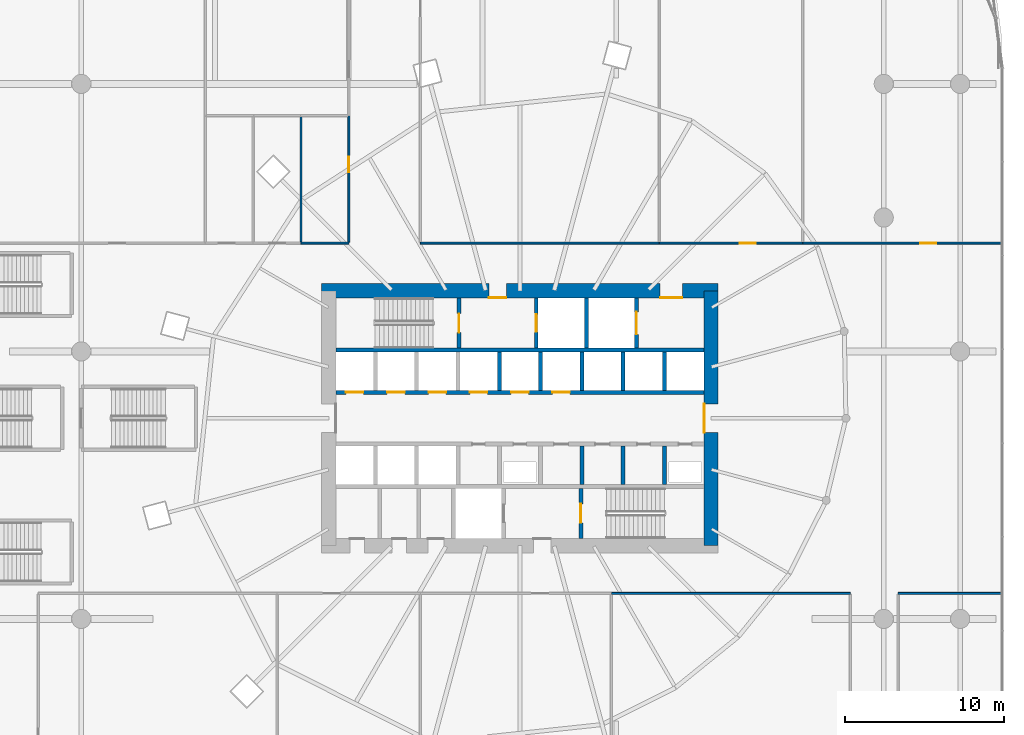
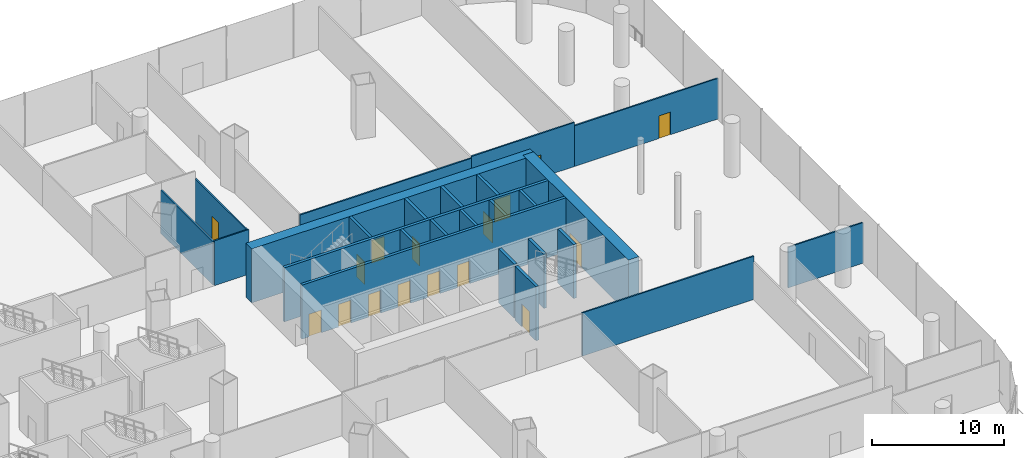
# One storey, part 40 of 51: 25 walls, 16 doors, 16 openings.
"""IFC4 building model written with IfcOpenShell, lengths in metres."""

from ifc_helpers import new_model, si_unit, direction, frame, frame_2d, origin, place, context, subcontext, project, spatial, rectangle, extrude, material, layer, layer_set, type_object, element, fill, save


model = new_model("IFC4")

# Units and contexts
model_context = context("Model", 3, precision=1e-05, world=origin(), true_north=direction((0.0, 1.0)))
body_context = subcontext(model_context, "Body", "Model", "MODEL_VIEW")
ifc_project = project(units=[si_unit("LENGTHUNIT", "METRE"), si_unit("AREAUNIT", "SQUARE_METRE"), si_unit("VOLUMEUNIT", "CUBIC_METRE"), si_unit("PLANEANGLEUNIT", "RADIAN"), si_unit("MASSUNIT", "GRAM", prefix="KILO")], contexts=[model_context])

# Site, building, storey
site_placement = place(None, origin())
site = spatial("IfcSite", under=ifc_project, at=site_placement, CompositionType="ELEMENT")
building_placement = place(site_placement, origin())
building = spatial("IfcBuilding", under=site, at=building_placement, Name="Rimbun Link Towers", CompositionType="ELEMENT")
storey_placement = place(building_placement, frame((0.0, 0.0, 7.0)))
storey = spatial("IfcBuildingStorey", under=building, at=storey_placement, Name="L01", CompositionType="ELEMENT", Elevation=7.0)

# Wall, openings, doors
ifc_material_1 = material(Name="Concrete C60/75", Category="concrete")
ifc_layer_1 = layer(ifc_material_1, 0.89990234375)
ifc_layer_set_1 = layer_set([ifc_layer_1], Name="Core shear wall 900")
wall_type_1 = type_object("IfcWallType", Name="Core shear wall 900", PredefinedType="SHEAR", material=ifc_layer_set_1)
wall_1_placement = place(storey_placement, frame((19.300048828125, 8.0, 0.0), z_axis=(0.0, 0.0, 1.0), x_axis=(1.0, 0.0, 0.0)))
wall_1 = element("IfcWall", 1, at=wall_1_placement, inside=storey, type_object=wall_type_1, Name="L01 T2 core wall N", PredefinedType="SHEAR", context=body_context, shape_type="SweptSolid", body=[
    extrude(rectangle(XDim=24.89990234375, YDim=0.89990234375, at=frame_2d((12.449951171875, 0.0))), origin(), (0.0, 0.0, 1.0), 5.0),
])
opening_1_placement = place(wall_1_placement, frame((10.5, 0.0, 0.0)))
opening_1 = element("IfcOpeningElement", 2, at=opening_1_placement, cuts=wall_1, Name="Opening C2DCF01N", PredefinedType="OPENING", context=body_context, shape_type="SweptSolid", body=[
    extrude(rectangle(XDim=1.10009765625, YDim=2.10009765625, at=frame_2d((0.550048828125, 1.050048828125))), frame((0.0, 0.4599609375, 0.0), z_axis=(0.0, -1.0, 0.0), x_axis=(1.0, 0.0, 0.0)), (0.0, 0.0, 1.0), 0.919921875),
])
opening_2_placement = place(wall_1_placement, frame((21.25, 0.0, 0.0)))
opening_2 = element("IfcOpeningElement", 3, at=opening_2_placement, cuts=wall_1, Name="Opening C2DSL02N", PredefinedType="OPENING", context=body_context, shape_type="SweptSolid", body=[
    extrude(rectangle(XDim=1.39990234375, YDim=2.10009765625, at=frame_2d((0.699951171875, 1.050048828125))), frame((0.0, 0.4599609375, 0.0), z_axis=(0.0, -1.0, 0.0), x_axis=(1.0, 0.0, 0.0)), (0.0, 0.0, 1.0), 0.919921875),
])
ifc_material_2 = material(Name="Steel fire door set", Category="steel")
door_type_1 = type_object("IfcDoorType", Name="Core fire door single", OperationType="SINGLE_SWING_LEFT", PredefinedType="DOOR", material=ifc_material_2)
door_1_placement = place(opening_1_placement, origin())
door_1 = element("IfcDoor", 4, at=door_1_placement, inside=storey, type_object=door_type_1, Name="L01 T2 firefighting lobby n door", OperationType="SINGLE_SWING_RIGHT", OverallHeight=2.10009765625, OverallWidth=1.10009765625, PredefinedType="DOOR", context=body_context, shape_type="SweptSolid", body=[
    extrude(rectangle(XDim=1.10009765625, YDim=2.10009765625, at=frame_2d((0.550048828125, 1.050048828125))), frame((0.0, -0.39990234375, 0.0), z_axis=(0.0, -1.0, 0.0), x_axis=(1.0, 0.0, 0.0)), (0.0, 0.0, 1.0), 0.050048828125),
])
fill(opening_1, door_1)
ifc_material_3 = material(Name="Steel fire door set", Category="steel")
door_type_2 = type_object("IfcDoorType", Name="Service lobby door double", OperationType="DOUBLE_DOOR_SINGLE_SWING", PredefinedType="DOOR", material=ifc_material_3)
door_2_placement = place(opening_2_placement, origin())
door_2 = element("IfcDoor", 5, at=door_2_placement, inside=storey, type_object=door_type_2, Name="L01 T2 service lobby door", OperationType="DOUBLE_DOOR_SINGLE_SWING", OverallHeight=2.10009765625, OverallWidth=1.39990234375, PredefinedType="DOOR", context=body_context, shape_type="SweptSolid", body=[
    extrude(rectangle(XDim=1.39990234375, YDim=2.10009765625, at=frame_2d((0.699951171875, 1.050048828125))), frame((0.0, -0.39990234375, 0.0), z_axis=(0.0, -1.0, 0.0), x_axis=(1.0, 0.0, 0.0)), (0.0, 0.0, 1.0), 0.050048828125),
])
fill(opening_2, door_2)

# Wall, opening, door
wall_2_placement = place(storey_placement, frame((43.75, -8.0, 0.0), z_axis=(0.0, 0.0, 1.0), x_axis=(0.0, 1.0, 0.0)))
wall_2 = element("IfcWall", 6, at=wall_2_placement, inside=storey, type_object=wall_type_1, Name="L01 T2 core wall E", PredefinedType="SHEAR", context=body_context, shape_type="SweptSolid", body=[
    extrude(rectangle(XDim=16.0, YDim=0.89990234375, at=frame_2d((8.0, 0.0))), origin(), (0.0, 0.0, 1.0), 5.0),
])
opening_3_placement = place(wall_2_placement, frame((7.10009765625, 0.0, 0.0)))
opening_3 = element("IfcOpeningElement", 7, at=opening_3_placement, cuts=wall_2, Name="Opening C2DCL01E", PredefinedType="OPENING", context=body_context, shape_type="SweptSolid", body=[
    extrude(rectangle(XDim=1.800048828125, YDim=2.10009765625, at=frame_2d((0.89990234375, 1.050048828125))), frame((0.0, 0.4599609375, 0.0), z_axis=(0.0, -1.0, 0.0), x_axis=(1.0, 0.0, 0.0)), (0.0, 0.0, 1.0), 0.919921875),
])
ifc_material_4 = material(Name="Steel fire door set", Category="steel")
door_type_3 = type_object("IfcDoorType", Name="Core lobby door double", OperationType="DOUBLE_DOOR_SINGLE_SWING", PredefinedType="DOOR", material=ifc_material_4)
door_3_placement = place(opening_3_placement, origin())
door_3 = element("IfcDoor", 8, at=door_3_placement, inside=storey, type_object=door_type_3, Name="L01 T2 lift lobby door", OperationType="DOUBLE_DOOR_SINGLE_SWING", OverallHeight=2.10009765625, OverallWidth=1.800048828125, PredefinedType="DOOR", context=body_context, shape_type="SweptSolid", body=[
    extrude(rectangle(XDim=1.800048828125, YDim=2.10009765625, at=frame_2d((0.89990234375, 1.050048828125))), frame((0.0, 0.4501953125, 0.0), z_axis=(0.0, -1.0, 0.0), x_axis=(1.0, 0.0, 0.0)), (0.0, 0.0, 1.0), 0.050048828125),
])
fill(opening_3, door_3)

# Walls
ifc_material_5 = material(Name="Gypsum board on steel studs", Category="steel")
ifc_layer_2 = layer(ifc_material_5, 0.125)
ifc_layer_set_2 = layer_set([ifc_layer_2], Name="Partition 125 board on studs")
wall_type_2 = type_object("IfcWallType", Name="Partition 125 board on studs", PredefinedType="PARTITIONING", material=ifc_layer_set_2)
wall_3_placement = place(storey_placement, frame((37.5, -11.0, 0.0), z_axis=(0.0, 0.0, 1.0), x_axis=(1.0, 0.0, 0.0)))
element("IfcWall", 9, at=wall_3_placement, inside=storey, type_object=wall_type_2, Name="PD/PW/L01/033", PredefinedType="PARTITIONING", context=body_context, shape_type="SweptSolid", body=[
    extrude(rectangle(XDim=15.0, YDim=0.125, at=frame_2d((7.5, 0.0))), origin(), (0.0, 0.0, 1.0), 3.99609375),
])
wall_4_placement = place(storey_placement, frame((55.5, -11.0, 0.0), z_axis=(0.0, 0.0, 1.0), x_axis=(1.0, 0.0, 0.0)))
element("IfcWall", 10, at=wall_4_placement, inside=storey, type_object=wall_type_2, Name="PD/PW/L01/034", PredefinedType="PARTITIONING", context=body_context, shape_type="SweptSolid", body=[
    extrude(rectangle(XDim=6.580078125, YDim=0.125, at=frame_2d((3.2900390625, 0.0))), origin(), (0.0, 0.0, 1.0), 3.761962890625),
])
wall_5_placement = place(storey_placement, frame((21.0, 11.0, 0.0), z_axis=(0.0, 0.0, 1.0), x_axis=(-1.0, 0.0, 0.0)))
element("IfcWall", 11, at=wall_5_placement, inside=storey, type_object=wall_type_2, Name="PD/PW/L01/037", PredefinedType="PARTITIONING", context=body_context, shape_type="SweptSolid", body=[
    extrude(rectangle(XDim=3.0, YDim=0.125, at=frame_2d((1.5, 0.0))), origin(), (0.0, 0.0, 1.0), 4.14697265625),
])
wall_6_placement = place(storey_placement, frame((40.5, 11.0, 0.0), z_axis=(0.0, 0.0, 1.0), x_axis=(-1.0, 0.0, 0.0)))
element("IfcWall", 12, at=wall_6_placement, inside=storey, type_object=wall_type_2, Name="PD/PW/L01/043", PredefinedType="PARTITIONING", context=body_context, shape_type="SweptSolid", body=[
    extrude(rectangle(XDim=15.0, YDim=0.125, at=frame_2d((7.5, 0.0))), origin(), (0.0, 0.0, 1.0), 3.91796875),
])

# Wall, opening, door
wall_7_placement = place(storey_placement, frame((49.5, 11.0, 0.0), z_axis=(0.0, 0.0, 1.0), x_axis=(-1.0, 0.0, 0.0)))
wall_7 = element("IfcWall", 13, at=wall_7_placement, inside=storey, type_object=wall_type_2, Name="PD/PW/L01/044", PredefinedType="PARTITIONING", context=body_context, shape_type="SweptSolid", body=[
    extrude(rectangle(XDim=9.0, YDim=0.125, at=frame_2d((4.5, 0.0))), origin(), (0.0, 0.0, 1.0), 4.076904296875),
])
opening_4_placement = place(wall_7_placement, frame((2.93505859375, 0.0, 0.0)))
opening_4 = element("IfcOpeningElement", 14, at=opening_4_placement, cuts=wall_7, Name="Opening PD D01.32", PredefinedType="OPENING", context=body_context, shape_type="SweptSolid", body=[
    extrude(rectangle(XDim=1.0, YDim=2.10009765625, at=frame_2d((0.5, 1.050048828125))), frame((0.0, 0.072509765625, 0.0), z_axis=(0.0, -1.0, 0.0), x_axis=(1.0, 0.0, 0.0)), (0.0, 0.0, 1.0), 0.14501953125),
])
ifc_material_6 = material(Name="Timber door set", Category="wood")
door_type_4 = type_object("IfcDoorType", Name="Door single leaf 1000 x 2100", OperationType="NOTDEFINED", PredefinedType="DOOR", material=ifc_material_6)
door_4_placement = place(opening_4_placement, origin())
door_4 = element("IfcDoor", 15, at=door_4_placement, inside=storey, type_object=door_type_4, Name="PD/DR/L01/032", OperationType="SINGLE_SWING_LEFT", OverallHeight=2.10009765625, OverallWidth=1.0, PredefinedType="DOOR", context=body_context, shape_type="SweptSolid", body=[
    extrude(rectangle(XDim=1.0, YDim=2.10009765625, at=frame_2d((0.5, 1.050048828125))), frame((0.0, 0.02490234375, 0.0), z_axis=(0.0, -1.0, 0.0), x_axis=(1.0, 0.0, 0.0)), (0.0, 0.0, 1.0), 0.050048828125),
])
fill(opening_4, door_4)

wall_8_placement = place(storey_placement, frame((62.080078125, 11.0, 0.0), z_axis=(0.0, 0.0, 1.0), x_axis=(-1.0, 0.0, 0.0)))
wall_8 = element("IfcWall", 16, at=wall_8_placement, inside=storey, type_object=wall_type_2, Name="PD/PW/L01/045", PredefinedType="PARTITIONING", context=body_context, shape_type="SweptSolid", body=[
    extrude(rectangle(XDim=12.580078125, YDim=0.125, at=frame_2d((6.2900390625, 0.0))), origin(), (0.0, 0.0, 1.0), 3.761962890625),
])
opening_5_placement = place(wall_8_placement, frame((4.18798828125, 0.0, 0.0)))
opening_5 = element("IfcOpeningElement", 17, at=opening_5_placement, cuts=wall_8, Name="Opening PD D01.33", PredefinedType="OPENING", context=body_context, shape_type="SweptSolid", body=[
    extrude(rectangle(XDim=1.0, YDim=2.10009765625, at=frame_2d((0.5, 1.050048828125))), frame((0.0, 0.072509765625, 0.0), z_axis=(0.0, -1.0, 0.0), x_axis=(1.0, 0.0, 0.0)), (0.0, 0.0, 1.0), 0.14501953125),
])
door_5_placement = place(opening_5_placement, origin())
door_5 = element("IfcDoor", 18, at=door_5_placement, inside=storey, type_object=door_type_4, Name="PD/DR/L01/033", OperationType="SINGLE_SWING_RIGHT", OverallHeight=2.10009765625, OverallWidth=1.0, PredefinedType="DOOR", context=body_context, shape_type="SweptSolid", body=[
    extrude(rectangle(XDim=1.0, YDim=2.10009765625, at=frame_2d((0.5, 1.050048828125))), frame((0.0, 0.02490234375, 0.0), z_axis=(0.0, -1.0, 0.0), x_axis=(1.0, 0.0, 0.0)), (0.0, 0.0, 1.0), 0.050048828125),
])
fill(opening_5, door_5)

wall_9_placement = place(storey_placement, frame((21.0, 19.0, 0.0), z_axis=(0.0, 0.0, 1.0), x_axis=(0.0, -1.0, 0.0)))
wall_9 = element("IfcWall", 19, at=wall_9_placement, inside=storey, type_object=wall_type_2, Name="PD/PW/L01/087", PredefinedType="PARTITIONING", context=body_context, shape_type="SweptSolid", body=[
    extrude(rectangle(XDim=7.9375, YDim=0.125, at=frame_2d((3.96875, 0.0))), origin(), (0.0, 0.0, 1.0), 3.99609375),
])
opening_6_placement = place(wall_9_placement, frame((2.56298828125, 0.0, 0.0)))
opening_6 = element("IfcOpeningElement", 20, at=opening_6_placement, cuts=wall_9, Name="Opening PD D01.23", PredefinedType="OPENING", context=body_context, shape_type="SweptSolid", body=[
    extrude(rectangle(XDim=1.0, YDim=2.10009765625, at=frame_2d((0.5, 1.050048828125))), frame((0.0, 0.072509765625, 0.0), z_axis=(0.0, -1.0, 0.0), x_axis=(1.0, 0.0, 0.0)), (0.0, 0.0, 1.0), 0.14501953125),
])
door_6_placement = place(opening_6_placement, origin())
door_6 = element("IfcDoor", 21, at=door_6_placement, inside=storey, type_object=door_type_4, Name="PD/DR/L01/023", OperationType="SINGLE_SWING_RIGHT", OverallHeight=2.10009765625, OverallWidth=1.0, PredefinedType="DOOR", context=body_context, shape_type="SweptSolid", body=[
    extrude(rectangle(XDim=1.0, YDim=2.10009765625, at=frame_2d((0.5, 1.050048828125))), frame((0.0, 0.02490234375, 0.0), z_axis=(0.0, -1.0, 0.0), x_axis=(1.0, 0.0, 0.0)), (0.0, 0.0, 1.0), 0.050048828125),
])
fill(opening_6, door_6)

# Walls
wall_10_placement = place(storey_placement, frame((18.0, 11.0625, 0.0), z_axis=(0.0, 0.0, 1.0), x_axis=(0.0, 1.0, 0.0)))
element("IfcWall", 22, at=wall_10_placement, inside=storey, type_object=wall_type_2, Name="PD/PW/L01/094", PredefinedType="PARTITIONING", context=body_context, shape_type="SweptSolid", body=[
    extrude(rectangle(XDim=7.9375, YDim=0.125, at=frame_2d((3.96875, 0.0))), origin(), (0.0, 0.0, 1.0), 3.99609375),
])
ifc_material_7 = material(Name="Concrete C60/75", Category="concrete")
ifc_layer_3 = layer(ifc_material_7, 0.25)
ifc_layer_set_3 = layer_set([ifc_layer_3], Name="Shaft wall 250")
wall_type_3 = type_object("IfcWallType", Name="Shaft wall 250", PredefinedType="SHEAR", material=ifc_layer_set_3)
wall_11_placement = place(storey_placement, frame((20.199951171875, 4.27490234375, 0.0), z_axis=(0.0, 0.0, 1.0), x_axis=(1.0, 0.0, 0.0)))
element("IfcWall", 23, at=wall_11_placement, inside=storey, type_object=wall_type_3, Name="L01 T2 core wall BN", PredefinedType="SHEAR", context=body_context, shape_type="SweptSolid", body=[
    extrude(rectangle(XDim=23.10009765625, YDim=0.25, at=frame_2d((11.550048828125, 0.0))), origin(), (0.0, 0.0, 1.0), 5.0),
])

# Wall, openings, doors
wall_12_placement = place(storey_placement, frame((20.199951171875, 1.625, 0.0), z_axis=(0.0, 0.0, 1.0), x_axis=(1.0, 0.0, 0.0)))
wall_12 = element("IfcWall", 24, at=wall_12_placement, inside=storey, type_object=wall_type_3, Name="L01 T2 core wall FN", PredefinedType="SHEAR", context=body_context, shape_type="SweptSolid", body=[
    extrude(rectangle(XDim=23.10009765625, YDim=0.25, at=frame_2d((11.550048828125, 0.0))), origin(), (0.0, 0.0, 1.0), 5.0),
])
opening_7_placement = place(wall_12_placement, frame((0.622314453125, 0.0, 0.0)))
opening_7 = element("IfcOpeningElement", 25, at=opening_7_placement, cuts=wall_12, Name="Opening LD-T2-LR1", PredefinedType="OPENING", context=body_context, shape_type="SweptSolid", body=[
    extrude(rectangle(XDim=1.10009765625, YDim=2.10009765625, at=frame_2d((0.550048828125, 1.050048828125))), frame((0.0, 0.135009765625, 0.0), z_axis=(0.0, -1.0, 0.0), x_axis=(1.0, 0.0, 0.0)), (0.0, 0.0, 1.0), 0.27001953125),
])
opening_8_placement = place(wall_12_placement, frame((3.216796875, 0.0, 0.0)))
opening_8 = element("IfcOpeningElement", 26, at=opening_8_placement, cuts=wall_12, Name="Opening LD-T2-LR2", PredefinedType="OPENING", context=body_context, shape_type="SweptSolid", body=[
    extrude(rectangle(XDim=1.10009765625, YDim=2.10009765625, at=frame_2d((0.550048828125, 1.050048828125))), frame((0.0, 0.135009765625, 0.0), z_axis=(0.0, -1.0, 0.0), x_axis=(1.0, 0.0, 0.0)), (0.0, 0.0, 1.0), 0.27001953125),
])
opening_9_placement = place(wall_12_placement, frame((5.81103515625, 0.0, 0.0)))
opening_9 = element("IfcOpeningElement", 27, at=opening_9_placement, cuts=wall_12, Name="Opening LD-T2-LR3", PredefinedType="OPENING", context=body_context, shape_type="SweptSolid", body=[
    extrude(rectangle(XDim=1.10009765625, YDim=2.10009765625, at=frame_2d((0.550048828125, 1.050048828125))), frame((0.0, 0.135009765625, 0.0), z_axis=(0.0, -1.0, 0.0), x_axis=(1.0, 0.0, 0.0)), (0.0, 0.0, 1.0), 0.27001953125),
])
opening_10_placement = place(wall_12_placement, frame((8.405517578125, 0.0, 0.0)))
opening_10 = element("IfcOpeningElement", 28, at=opening_10_placement, cuts=wall_12, Name="Opening LD-T2-LR4", PredefinedType="OPENING", context=body_context, shape_type="SweptSolid", body=[
    extrude(rectangle(XDim=1.10009765625, YDim=2.10009765625, at=frame_2d((0.550048828125, 1.050048828125))), frame((0.0, 0.135009765625, 0.0), z_axis=(0.0, -1.0, 0.0), x_axis=(1.0, 0.0, 0.0)), (0.0, 0.0, 1.0), 0.27001953125),
])
opening_11_placement = place(wall_12_placement, frame((11.0, 0.0, 0.0)))
opening_11 = element("IfcOpeningElement", 29, at=opening_11_placement, cuts=wall_12, Name="Opening LD-T2-LR5", PredefinedType="OPENING", context=body_context, shape_type="SweptSolid", body=[
    extrude(rectangle(XDim=1.10009765625, YDim=2.10009765625, at=frame_2d((0.550048828125, 1.050048828125))), frame((0.0, 0.135009765625, 0.0), z_axis=(0.0, -1.0, 0.0), x_axis=(1.0, 0.0, 0.0)), (0.0, 0.0, 1.0), 0.27001953125),
])
opening_12_placement = place(wall_12_placement, frame((13.594482421875, 0.0, 0.0)))
opening_12 = element("IfcOpeningElement", 30, at=opening_12_placement, cuts=wall_12, Name="Opening LD-T2-LR6", PredefinedType="OPENING", context=body_context, shape_type="SweptSolid", body=[
    extrude(rectangle(XDim=1.10009765625, YDim=2.10009765625, at=frame_2d((0.550048828125, 1.050048828125))), frame((0.0, 0.135009765625, 0.0), z_axis=(0.0, -1.0, 0.0), x_axis=(1.0, 0.0, 0.0)), (0.0, 0.0, 1.0), 0.27001953125),
])
ifc_material_8 = material(Name="Stainless steel grade 316", Category="steel")
door_type_5 = type_object("IfcDoorType", Name="Lift landing door", OperationType="DOUBLE_DOOR_SLIDING", PredefinedType="DOOR", material=ifc_material_8)
door_7_placement = place(opening_7_placement, origin())
door_7 = element("IfcDoor", 31, at=door_7_placement, inside=storey, type_object=door_type_5, Name="L01 T2 lift LR1 landing door", OperationType="DOUBLE_DOOR_SLIDING", OverallHeight=2.10009765625, OverallWidth=1.10009765625, PredefinedType="DOOR", context=body_context, shape_type="SweptSolid", body=[
    extrude(rectangle(XDim=1.10009765625, YDim=2.10009765625, at=frame_2d((0.550048828125, 1.050048828125))), frame((0.0, 0.02490234375, 0.0), z_axis=(0.0, -1.0, 0.0), x_axis=(1.0, 0.0, 0.0)), (0.0, 0.0, 1.0), 0.050048828125),
])
fill(opening_7, door_7)
door_8_placement = place(opening_8_placement, origin())
door_8 = element("IfcDoor", 32, at=door_8_placement, inside=storey, type_object=door_type_5, Name="L01 T2 lift LR2 landing door", OperationType="DOUBLE_DOOR_SLIDING", OverallHeight=2.10009765625, OverallWidth=1.10009765625, PredefinedType="DOOR", context=body_context, shape_type="SweptSolid", body=[
    extrude(rectangle(XDim=1.10009765625, YDim=2.10009765625, at=frame_2d((0.550048828125, 1.050048828125))), frame((0.0, 0.02490234375, 0.0), z_axis=(0.0, -1.0, 0.0), x_axis=(1.0, 0.0, 0.0)), (0.0, 0.0, 1.0), 0.050048828125),
])
fill(opening_8, door_8)
door_9_placement = place(opening_9_placement, origin())
door_9 = element("IfcDoor", 33, at=door_9_placement, inside=storey, type_object=door_type_5, Name="L01 T2 lift LR3 landing door", OperationType="DOUBLE_DOOR_SLIDING", OverallHeight=2.10009765625, OverallWidth=1.10009765625, PredefinedType="DOOR", context=body_context, shape_type="SweptSolid", body=[
    extrude(rectangle(XDim=1.10009765625, YDim=2.10009765625, at=frame_2d((0.550048828125, 1.050048828125))), frame((0.0, 0.02490234375, 0.0), z_axis=(0.0, -1.0, 0.0), x_axis=(1.0, 0.0, 0.0)), (0.0, 0.0, 1.0), 0.050048828125),
])
fill(opening_9, door_9)
door_10_placement = place(opening_10_placement, origin())
door_10 = element("IfcDoor", 34, at=door_10_placement, inside=storey, type_object=door_type_5, Name="L01 T2 lift LR4 landing door", OperationType="DOUBLE_DOOR_SLIDING", OverallHeight=2.10009765625, OverallWidth=1.10009765625, PredefinedType="DOOR", context=body_context, shape_type="SweptSolid", body=[
    extrude(rectangle(XDim=1.10009765625, YDim=2.10009765625, at=frame_2d((0.550048828125, 1.050048828125))), frame((0.0, 0.02490234375, 0.0), z_axis=(0.0, -1.0, 0.0), x_axis=(1.0, 0.0, 0.0)), (0.0, 0.0, 1.0), 0.050048828125),
])
fill(opening_10, door_10)
door_11_placement = place(opening_11_placement, origin())
door_11 = element("IfcDoor", 35, at=door_11_placement, inside=storey, type_object=door_type_5, Name="L01 T2 lift LR5 landing door", OperationType="DOUBLE_DOOR_SLIDING", OverallHeight=2.10009765625, OverallWidth=1.10009765625, PredefinedType="DOOR", context=body_context, shape_type="SweptSolid", body=[
    extrude(rectangle(XDim=1.10009765625, YDim=2.10009765625, at=frame_2d((0.550048828125, 1.050048828125))), frame((0.0, 0.02490234375, 0.0), z_axis=(0.0, -1.0, 0.0), x_axis=(1.0, 0.0, 0.0)), (0.0, 0.0, 1.0), 0.050048828125),
])
fill(opening_11, door_11)
door_12_placement = place(opening_12_placement, origin())
door_12 = element("IfcDoor", 36, at=door_12_placement, inside=storey, type_object=door_type_5, Name="L01 T2 lift LR6 landing door", OperationType="DOUBLE_DOOR_SLIDING", OverallHeight=2.10009765625, OverallWidth=1.10009765625, PredefinedType="DOOR", context=body_context, shape_type="SweptSolid", body=[
    extrude(rectangle(XDim=1.10009765625, YDim=2.10009765625, at=frame_2d((0.550048828125, 1.050048828125))), frame((0.0, 0.02490234375, 0.0), z_axis=(0.0, -1.0, 0.0), x_axis=(1.0, 0.0, 0.0)), (0.0, 0.0, 1.0), 0.050048828125),
])
fill(opening_12, door_12)

# Walls
for number, where, z_axis, x_axis, name in (
    (37, (30.452880859375, 1.75, 0.0), (0.0, 0.0, 1.0), (0.0, 1.0, 0.0), "L01 T2 core wall DN3"),
    (38, (33.047119140625, 1.75, 0.0), (0.0, 0.0, 1.0), (0.0, 1.0, 0.0), "L01 T2 core wall DN4"),
    (39, (35.6416015625, 1.75, 0.0), (0.0, 0.0, 1.0), (0.0, 1.0, 0.0), "L01 T2 core wall DN5"),
    (40, (38.236083984375, 1.75, 0.0), (0.0, 0.0, 1.0), (0.0, 1.0, 0.0), "L01 T2 core wall DN6"),
    (41, (40.83056640625, 1.75, 0.0), (0.0, 0.0, 1.0), (0.0, 1.0, 0.0), "L01 T2 core wall DN7"),
    (42, (35.6416015625, -4.14990234375, 0.0), (0.0, 0.0, 1.0), (0.0, 1.0, 0.0), "L01 T2 core wall DS5"),
    (43, (38.236083984375, -4.14990234375, 0.0), (0.0, 0.0, 1.0), (0.0, 1.0, 0.0), "L01 T2 core wall DS6"),
    (44, (40.83056640625, -4.14990234375, 0.0), (0.0, 0.0, 1.0), (0.0, 1.0, 0.0), "L01 T2 core wall DS7"),
):
    element("IfcWall", number, at=place(storey_placement, frame(where, z_axis=z_axis, x_axis=x_axis)), inside=storey, type_object=wall_type_3, Name=name, PredefinedType="SHEAR", context=body_context, shape_type="SweptSolid", body=[
        extrude(rectangle(XDim=2.39990234375, YDim=0.25, at=frame_2d((1.199951171875, 0.0))), origin(), (0.0, 0.0, 1.0), 5.0),
    ])

# Wall, opening, door
wall_13_placement = place(storey_placement, frame((27.925048828125, 4.39990234375, 0.0), z_axis=(0.0, 0.0, 1.0), x_axis=(0.0, 1.0, 0.0)))
wall_13 = element("IfcWall", 45, at=wall_13_placement, inside=storey, type_object=wall_type_3, Name="L01 T2 core wall A1", PredefinedType="SHEAR", context=body_context, shape_type="SweptSolid", body=[
    extrude(rectangle(XDim=3.150146484375, YDim=0.25, at=frame_2d((1.5751953125, 0.0))), origin(), (0.0, 0.0, 1.0), 5.0),
])
opening_13_placement = place(wall_13_placement, frame((0.97509765625, 0.0, 0.0)))
opening_13 = element("IfcOpeningElement", 46, at=opening_13_placement, cuts=wall_13, Name="Opening C2DST01A1", PredefinedType="OPENING", context=body_context, shape_type="SweptSolid", body=[
    extrude(rectangle(XDim=1.199951171875, YDim=2.10009765625, at=frame_2d((0.60009765625, 1.050048828125))), frame((0.0, 0.135009765625, 0.0), z_axis=(0.0, -1.0, 0.0), x_axis=(1.0, 0.0, 0.0)), (0.0, 0.0, 1.0), 0.27001953125),
])
ifc_material_9 = material(Name="Steel fire door set", Category="steel")
door_type_6 = type_object("IfcDoorType", Name="Stair door", OperationType="SINGLE_SWING_LEFT", PredefinedType="DOOR", material=ifc_material_9)
door_13_placement = place(opening_13_placement, origin())
door_13 = element("IfcDoor", 47, at=door_13_placement, inside=storey, type_object=door_type_6, Name="L01 T2 stair a door", OperationType="SINGLE_SWING_LEFT", OverallHeight=2.10009765625, OverallWidth=1.199951171875, PredefinedType="DOOR", context=body_context, shape_type="SweptSolid", body=[
    extrude(rectangle(XDim=1.199951171875, YDim=2.10009765625, at=frame_2d((0.60009765625, 1.050048828125))), frame((0.0, 0.02490234375, 0.0), z_axis=(0.0, -1.0, 0.0), x_axis=(1.0, 0.0, 0.0)), (0.0, 0.0, 1.0), 0.050048828125),
])
fill(opening_13, door_13)

wall_14_placement = place(storey_placement, frame((32.77490234375, 4.39990234375, 0.0), z_axis=(0.0, 0.0, 1.0), x_axis=(0.0, 1.0, 0.0)))
wall_14 = element("IfcWall", 48, at=wall_14_placement, inside=storey, type_object=wall_type_3, Name="L01 T2 core wall A2", PredefinedType="SHEAR", context=body_context, shape_type="SweptSolid", body=[
    extrude(rectangle(XDim=3.150146484375, YDim=0.25, at=frame_2d((1.5751953125, 0.0))), origin(), (0.0, 0.0, 1.0), 5.0),
])
opening_14_placement = place(wall_14_placement, frame((1.02490234375, 0.0, 0.0)))
opening_14 = element("IfcOpeningElement", 49, at=opening_14_placement, cuts=wall_14, Name="Opening LD-T2-FF1", PredefinedType="OPENING", context=body_context, shape_type="SweptSolid", body=[
    extrude(rectangle(XDim=1.10009765625, YDim=2.10009765625, at=frame_2d((0.550048828125, 1.050048828125))), frame((0.0, 0.135009765625, 0.0), z_axis=(0.0, -1.0, 0.0), x_axis=(1.0, 0.0, 0.0)), (0.0, 0.0, 1.0), 0.27001953125),
])
door_14_placement = place(opening_14_placement, origin())
door_14 = element("IfcDoor", 50, at=door_14_placement, inside=storey, type_object=door_type_5, Name="L01 T2 lift FF1 landing door", OperationType="DOUBLE_DOOR_SLIDING", OverallHeight=2.10009765625, OverallWidth=1.10009765625, PredefinedType="DOOR", context=body_context, shape_type="SweptSolid", body=[
    extrude(rectangle(XDim=1.10009765625, YDim=2.10009765625, at=frame_2d((0.550048828125, 1.050048828125))), frame((0.0, 0.02490234375, 0.0), z_axis=(0.0, -1.0, 0.0), x_axis=(1.0, 0.0, 0.0)), (0.0, 0.0, 1.0), 0.050048828125),
])
fill(opening_14, door_14)

# Wall
wall_15_placement = place(storey_placement, frame((35.925048828125, 4.39990234375, 0.0), z_axis=(0.0, 0.0, 1.0), x_axis=(0.0, 1.0, 0.0)))
element("IfcWall", 51, at=wall_15_placement, inside=storey, type_object=wall_type_3, Name="L01 T2 core wall A3", PredefinedType="SHEAR", context=body_context, shape_type="SweptSolid", body=[
    extrude(rectangle(XDim=3.150146484375, YDim=0.25, at=frame_2d((1.5751953125, 0.0))), origin(), (0.0, 0.0, 1.0), 5.0),
])

# Wall, opening, door
wall_16_placement = place(storey_placement, frame((39.074951171875, 4.39990234375, 0.0), z_axis=(0.0, 0.0, 1.0), x_axis=(0.0, 1.0, 0.0)))
wall_16 = element("IfcWall", 52, at=wall_16_placement, inside=storey, type_object=wall_type_3, Name="L01 T2 core wall A4", PredefinedType="SHEAR", context=body_context, shape_type="SweptSolid", body=[
    extrude(rectangle(XDim=3.150146484375, YDim=0.25, at=frame_2d((1.5751953125, 0.0))), origin(), (0.0, 0.0, 1.0), 5.0),
])
opening_15_placement = place(wall_16_placement, frame((0.875, 0.0, 0.0)))
opening_15 = element("IfcOpeningElement", 53, at=opening_15_placement, cuts=wall_16, Name="Opening LD-T2-GL1", PredefinedType="OPENING", context=body_context, shape_type="SweptSolid", body=[
    extrude(rectangle(XDim=1.39990234375, YDim=2.10009765625, at=frame_2d((0.699951171875, 1.050048828125))), frame((0.0, 0.135009765625, 0.0), z_axis=(0.0, -1.0, 0.0), x_axis=(1.0, 0.0, 0.0)), (0.0, 0.0, 1.0), 0.27001953125),
])
ifc_material_10 = material(Name="Stainless steel grade 316", Category="steel")
door_type_7 = type_object("IfcDoorType", Name="Goods lift landing door", OperationType="DOUBLE_DOOR_SLIDING", PredefinedType="DOOR", material=ifc_material_10)
door_15_placement = place(opening_15_placement, origin())
door_15 = element("IfcDoor", 54, at=door_15_placement, inside=storey, type_object=door_type_7, Name="L01 T2 lift GL1 landing door", OperationType="DOUBLE_DOOR_SLIDING", OverallHeight=2.10009765625, OverallWidth=1.39990234375, PredefinedType="DOOR", context=body_context, shape_type="SweptSolid", body=[
    extrude(rectangle(XDim=1.39990234375, YDim=2.10009765625, at=frame_2d((0.699951171875, 1.050048828125))), frame((0.0, 0.02490234375, 0.0), z_axis=(0.0, -1.0, 0.0), x_axis=(1.0, 0.0, 0.0)), (0.0, 0.0, 1.0), 0.050048828125),
])
fill(opening_15, door_15)

wall_17_placement = place(storey_placement, frame((35.574951171875, -4.39990234375, 0.0), z_axis=(0.0, 0.0, 1.0), x_axis=(0.0, -1.0, 0.0)))
wall_17 = element("IfcWall", 55, at=wall_17_placement, inside=storey, type_object=wall_type_3, Name="L01 T2 core wall B1", PredefinedType="SHEAR", context=body_context, shape_type="SweptSolid", body=[
    extrude(rectangle(XDim=3.150146484375, YDim=0.25, at=frame_2d((1.5751953125, 0.0))), origin(), (0.0, 0.0, 1.0), 5.0),
])
opening_16_placement = place(wall_17_placement, frame((0.97509765625, 0.0, 0.0)))
opening_16 = element("IfcOpeningElement", 56, at=opening_16_placement, cuts=wall_17, Name="Opening C2DST01B1", PredefinedType="OPENING", context=body_context, shape_type="SweptSolid", body=[
    extrude(rectangle(XDim=1.199951171875, YDim=2.10009765625, at=frame_2d((0.60009765625, 1.050048828125))), frame((0.0, 0.135009765625, 0.0), z_axis=(0.0, -1.0, 0.0), x_axis=(1.0, 0.0, 0.0)), (0.0, 0.0, 1.0), 0.27001953125),
])
door_16_placement = place(opening_16_placement, origin())
door_16 = element("IfcDoor", 57, at=door_16_placement, inside=storey, type_object=door_type_6, Name="L01 T2 stair b door", OperationType="SINGLE_SWING_RIGHT", OverallHeight=2.10009765625, OverallWidth=1.199951171875, PredefinedType="DOOR", context=body_context, shape_type="SweptSolid", body=[
    extrude(rectangle(XDim=1.199951171875, YDim=2.10009765625, at=frame_2d((0.60009765625, 1.050048828125))), frame((0.0, 0.02490234375, 0.0), z_axis=(0.0, -1.0, 0.0), x_axis=(1.0, 0.0, 0.0)), (0.0, 0.0, 1.0), 0.050048828125),
])
fill(opening_16, door_16)

save(model, "model.ifc")
